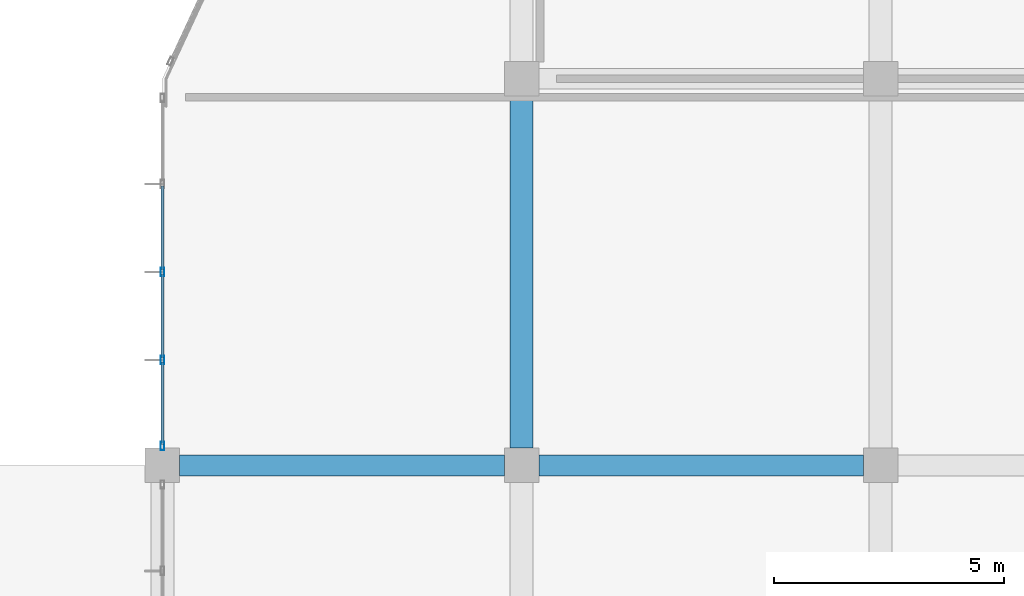
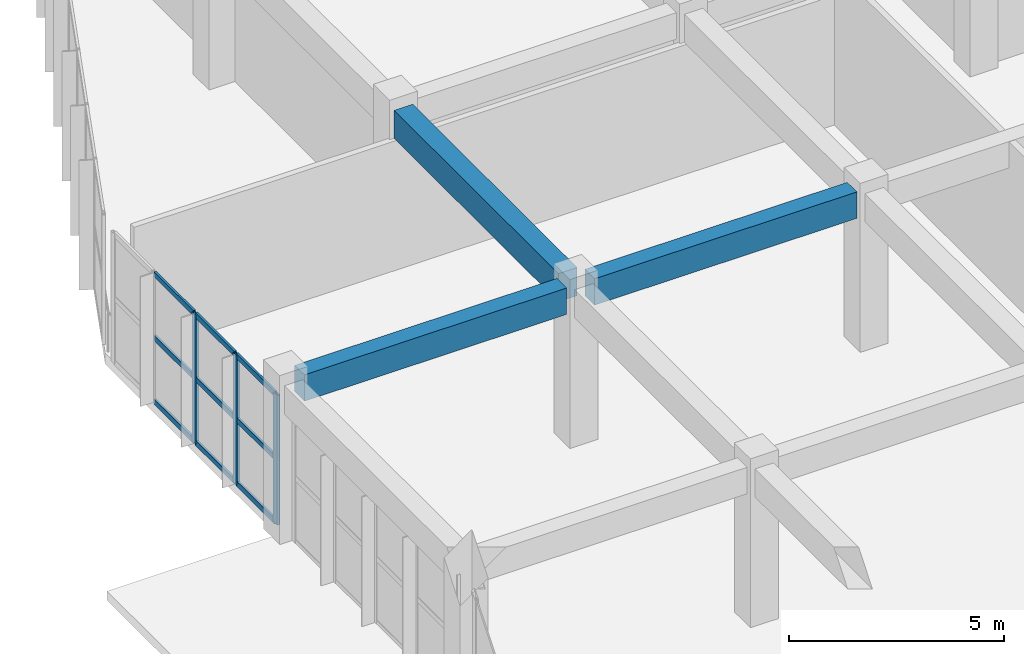
# One storey, part 22 of 175: 12 members, 3 beams, 1 element without a shape of its own.
"""IFC4 building model written with IfcOpenShell, lengths in metres."""

from ifc_helpers import new_model, si_unit, direction, frame, origin, origin_2d, place, context, subcontext, project, spatial, rectangle, hollow_rectangle, extrude, material, layer, layer_set, material_profile, profile_set, type_object, element, aggregate, save


model = new_model("IFC4")

# Units and contexts
model_context = context("Model", 3, precision=1e-05, world=origin(), true_north=direction((0.0, 1.0)))
body_context = subcontext(model_context, "Body", "Model", "MODEL_VIEW")
ifc_project = project(units=[si_unit("LENGTHUNIT", "METRE"), si_unit("AREAUNIT", "SQUARE_METRE"), si_unit("VOLUMEUNIT", "CUBIC_METRE"), si_unit("PLANEANGLEUNIT", "RADIAN"), si_unit("MASSUNIT", "GRAM", prefix="KILO")], contexts=[model_context])

# Site, building, storey
site_placement = place(None, origin())
site = spatial("IfcSite", under=ifc_project, at=site_placement, CompositionType="ELEMENT")
building_placement = place(site_placement, origin())
building = spatial("IfcBuilding", under=site, at=building_placement, Name="Zizhar Promenade General Hospital", CompositionType="ELEMENT")
storey_placement = place(building_placement, frame((0.0, 0.0, 4.800048828125)))
storey = spatial("IfcBuildingStorey", under=building, at=storey_placement, Name="L01", CompositionType="ELEMENT", Elevation=4.800048828125)

# Beams
ifc_material_1 = material(Name="Concrete C35/45", Category="concrete")
ifc_material_profile_1 = material_profile(ifc_material_1, rectangle(XDim=0.449951171875, YDim=0.75, at=origin_2d()))
ifc_profile_set_1 = profile_set([ifc_material_profile_1], Name="Concrete C35/45")
beam_type_1 = type_object("IfcBeamType", Name="BM-RC-450x750", PredefinedType="BEAM", material=ifc_profile_set_1)
for number, where, z_axis, x_axis, name in (
    (1, (0.375, 42.0, 4.094970703125), (1.0, 0.0, 0.0), (0.0, 1.0, 0.0), "Grid Beam X L01 (0-5)"),
    (2, (8.175048828125, 42.0, 4.094970703125), (1.0, 0.0, 0.0), (0.0, 1.0, 0.0), "Grid Beam X L01 (1-5)"),
):
    element("IfcBeam", number, at=place(storey_placement, frame(where, z_axis=z_axis, x_axis=x_axis)), inside=storey, type_object=beam_type_1, Name=name, PredefinedType="BEAM", context=body_context, shape_type="SweptSolid", body=[
        extrude(rectangle(XDim=0.449951171875, YDim=0.75, at=origin_2d()), origin(), (0.0, 0.0, 1.0), 7.050048828125),
    ])
ifc_material_2 = material(Name="Concrete C35/45", Category="concrete")
ifc_material_profile_2 = material_profile(ifc_material_2, rectangle(XDim=0.5, YDim=0.800048828125, at=origin_2d()))
ifc_profile_set_2 = profile_set([ifc_material_profile_2], Name="Concrete C35/45")
beam_type_2 = type_object("IfcBeamType", Name="BM-RC-500x800", PredefinedType="BEAM", material=ifc_profile_set_2)
beam_placement = place(storey_placement, frame((7.800048828125, 42.375, 4.070068359375), z_axis=(0.0, 1.0, 0.0), x_axis=(-1.0, 0.0, 0.0)))
element("IfcBeam", 3, at=beam_placement, inside=storey, type_object=beam_type_2, Name="Grid Beam Y L01 (1-5)", PredefinedType="BEAM", context=body_context, shape_type="SweptSolid", body=[
    extrude(rectangle(XDim=0.5, YDim=0.800048828125, at=origin_2d()), origin(), (0.0, 0.0, 1.0), 7.64990234375),
])

# Curtain wall, members
ifc_material_3 = material(Name="Anodised aluminium 6063-T6 and low-E glass", Category="aluminium")
ifc_layer = layer(ifc_material_3, 0.159912109375)
ifc_layer_set = layer_set([ifc_layer], Name="Anodised aluminium 6063-T6 and low-E glass")
curtain_wall_type = type_object("IfcCurtainWallType", Name="CW-ED-FRONT", PredefinedType="NOTDEFINED", material=ifc_layer_set)
curtain_wall_placement = place(storey_placement, origin())
curtain_wall = element("IfcCurtainWall", 4, at=curtain_wall_placement, inside=storey, type_object=curtain_wall_type, Name="West Diagnostic Arm Glazed Curtain Wall L01-W5", PredefinedType="NOTDEFINED")
ifc_material_4 = material(Name="Anodised aluminium 6063-T6", Category="aluminium")
ifc_material_profile_3 = material_profile(ifc_material_4, hollow_rectangle(XDim=0.080078125, YDim=0.179931640625, WallThickness=0.0048828125, at=origin_2d()))
ifc_profile_set_3 = profile_set([ifc_material_profile_3], Name="Anodised aluminium 6063-T6")
member_type_1 = type_object("IfcMemberType", Name="CWM-ALU-180x80", PredefinedType="MULLION", material=ifc_profile_set_3)
member_1_placement = place(storey_placement, frame((0.0, 42.419921875, 0.0), z_axis=(0.0, 0.0, 1.0), x_axis=(-1.0, 0.0, 0.0)))
member_1 = element("IfcMember", 5, at=member_1_placement, type_object=member_type_1, Name="CW-06 mullion 1", PredefinedType="MULLION", context=body_context, shape_type="SweptSolid", body=[
    extrude(hollow_rectangle(XDim=0.080078125, YDim=0.179931640625, WallThickness=0.0048828125, at=origin_2d()), origin(), (0.0, 0.0, 1.0), 3.679931640625),
])
member_2_placement = place(storey_placement, frame((0.0, 44.2900390625, 0.0), z_axis=(0.0, 0.0, 1.0), x_axis=(-1.0, 0.0, 0.0)))
member_2 = element("IfcMember", 6, at=member_2_placement, type_object=member_type_1, Name="CW-06 mullion 2", PredefinedType="MULLION", context=body_context, shape_type="SweptSolid", body=[
    extrude(hollow_rectangle(XDim=0.080078125, YDim=0.179931640625, WallThickness=0.0048828125, at=origin_2d()), origin(), (0.0, 0.0, 1.0), 3.679931640625),
])
member_3_placement = place(storey_placement, frame((0.0, 46.199951171875, 0.0), z_axis=(0.0, 0.0, 1.0), x_axis=(-1.0, 0.0, 0.0)))
member_3 = element("IfcMember", 7, at=member_3_placement, type_object=member_type_1, Name="CW-06 mullion 3", PredefinedType="MULLION", context=body_context, shape_type="SweptSolid", body=[
    extrude(hollow_rectangle(XDim=0.080078125, YDim=0.179931640625, WallThickness=0.0048828125, at=origin_2d()), origin(), (0.0, 0.0, 1.0), 3.679931640625),
])
ifc_material_5 = material(Name="Anodised aluminium 6063-T6", Category="aluminium")
ifc_material_profile_4 = material_profile(ifc_material_5, hollow_rectangle(XDim=0.06005859375, YDim=0.14990234375, WallThickness=0.00390625, at=origin_2d()))
ifc_profile_set_4 = profile_set([ifc_material_profile_4], Name="Anodised aluminium 6063-T6")
member_type_2 = type_object("IfcMemberType", Name="CWT-ALU-150x60", PredefinedType="USERDEFINED", material=ifc_profile_set_4)
member_4_placement = place(storey_placement, frame((0.0, 42.4599609375, 0.030029296875), z_axis=(0.0, 1.0, 0.0), x_axis=(-1.0, 0.0, 0.0)))
member_4 = element("IfcMember", 8, at=member_4_placement, type_object=member_type_2, Name="CW-06 transom 1.1", ObjectType="TRANSOM", PredefinedType="USERDEFINED", context=body_context, shape_type="SweptSolid", body=[
    extrude(hollow_rectangle(XDim=0.06005859375, YDim=0.14990234375, WallThickness=0.00390625, at=origin_2d()), origin(), (0.0, 0.0, 1.0), 1.7900390625),
])
member_5_placement = place(storey_placement, frame((0.0, 42.4599609375, 1.83984375), z_axis=(0.0, 1.0, 0.0), x_axis=(-1.0, 0.0, 0.0)))
member_5 = element("IfcMember", 9, at=member_5_placement, type_object=member_type_2, Name="CW-06 transom 1.2", ObjectType="TRANSOM", PredefinedType="USERDEFINED", context=body_context, shape_type="SweptSolid", body=[
    extrude(hollow_rectangle(XDim=0.06005859375, YDim=0.14990234375, WallThickness=0.00390625, at=origin_2d()), origin(), (0.0, 0.0, 1.0), 1.7900390625),
])
member_6_placement = place(storey_placement, frame((0.0, 42.4599609375, 3.64990234375), z_axis=(0.0, 1.0, 0.0), x_axis=(-1.0, 0.0, 0.0)))
member_6 = element("IfcMember", 10, at=member_6_placement, type_object=member_type_2, Name="CW-06 transom 1.3", ObjectType="TRANSOM", PredefinedType="USERDEFINED", context=body_context, shape_type="SweptSolid", body=[
    extrude(hollow_rectangle(XDim=0.06005859375, YDim=0.14990234375, WallThickness=0.00390625, at=origin_2d()), origin(), (0.0, 0.0, 1.0), 1.7900390625),
])
member_7_placement = place(storey_placement, frame((0.0, 44.330078125, 0.030029296875), z_axis=(0.0, 1.0, 0.0), x_axis=(-1.0, 0.0, 0.0)))
member_7 = element("IfcMember", 11, at=member_7_placement, type_object=member_type_2, Name="CW-06 transom 2.1", ObjectType="TRANSOM", PredefinedType="USERDEFINED", context=body_context, shape_type="SweptSolid", body=[
    extrude(hollow_rectangle(XDim=0.06005859375, YDim=0.14990234375, WallThickness=0.00390625, at=origin_2d()), origin(), (0.0, 0.0, 1.0), 1.829833984375),
])
member_8_placement = place(storey_placement, frame((0.0, 44.330078125, 1.83984375), z_axis=(0.0, 1.0, 0.0), x_axis=(-1.0, 0.0, 0.0)))
member_8 = element("IfcMember", 12, at=member_8_placement, type_object=member_type_2, Name="CW-06 transom 2.2", ObjectType="TRANSOM", PredefinedType="USERDEFINED", context=body_context, shape_type="SweptSolid", body=[
    extrude(hollow_rectangle(XDim=0.06005859375, YDim=0.14990234375, WallThickness=0.00390625, at=origin_2d()), origin(), (0.0, 0.0, 1.0), 1.829833984375),
])
member_9_placement = place(storey_placement, frame((0.0, 44.330078125, 3.64990234375), z_axis=(0.0, 1.0, 0.0), x_axis=(-1.0, 0.0, 0.0)))
member_9 = element("IfcMember", 13, at=member_9_placement, type_object=member_type_2, Name="CW-06 transom 2.3", ObjectType="TRANSOM", PredefinedType="USERDEFINED", context=body_context, shape_type="SweptSolid", body=[
    extrude(hollow_rectangle(XDim=0.06005859375, YDim=0.14990234375, WallThickness=0.00390625, at=origin_2d()), origin(), (0.0, 0.0, 1.0), 1.829833984375),
])
member_10_placement = place(storey_placement, frame((0.0, 46.239990234375, 0.030029296875), z_axis=(0.0, 1.0, 0.0), x_axis=(-1.0, 0.0, 0.0)))
member_10 = element("IfcMember", 14, at=member_10_placement, type_object=member_type_2, Name="CW-06 transom 3.1", ObjectType="TRANSOM", PredefinedType="USERDEFINED", context=body_context, shape_type="SweptSolid", body=[
    extrude(hollow_rectangle(XDim=0.06005859375, YDim=0.14990234375, WallThickness=0.00390625, at=origin_2d()), origin(), (0.0, 0.0, 1.0), 1.830078125),
])
member_11_placement = place(storey_placement, frame((0.0, 46.239990234375, 1.83984375), z_axis=(0.0, 1.0, 0.0), x_axis=(-1.0, 0.0, 0.0)))
member_11 = element("IfcMember", 15, at=member_11_placement, type_object=member_type_2, Name="CW-06 transom 3.2", ObjectType="TRANSOM", PredefinedType="USERDEFINED", context=body_context, shape_type="SweptSolid", body=[
    extrude(hollow_rectangle(XDim=0.06005859375, YDim=0.14990234375, WallThickness=0.00390625, at=origin_2d()), origin(), (0.0, 0.0, 1.0), 1.830078125),
])
member_12_placement = place(storey_placement, frame((0.0, 46.239990234375, 3.64990234375), z_axis=(0.0, 1.0, 0.0), x_axis=(-1.0, 0.0, 0.0)))
member_12 = element("IfcMember", 16, at=member_12_placement, type_object=member_type_2, Name="CW-06 transom 3.3", ObjectType="TRANSOM", PredefinedType="USERDEFINED", context=body_context, shape_type="SweptSolid", body=[
    extrude(hollow_rectangle(XDim=0.06005859375, YDim=0.14990234375, WallThickness=0.00390625, at=origin_2d()), origin(), (0.0, 0.0, 1.0), 1.830078125),
])
aggregate(curtain_wall, [member_1, member_2, member_3, member_4, member_5, member_6, member_7, member_8, member_9, member_10, member_11, member_12])

save(model, "model.ifc")
